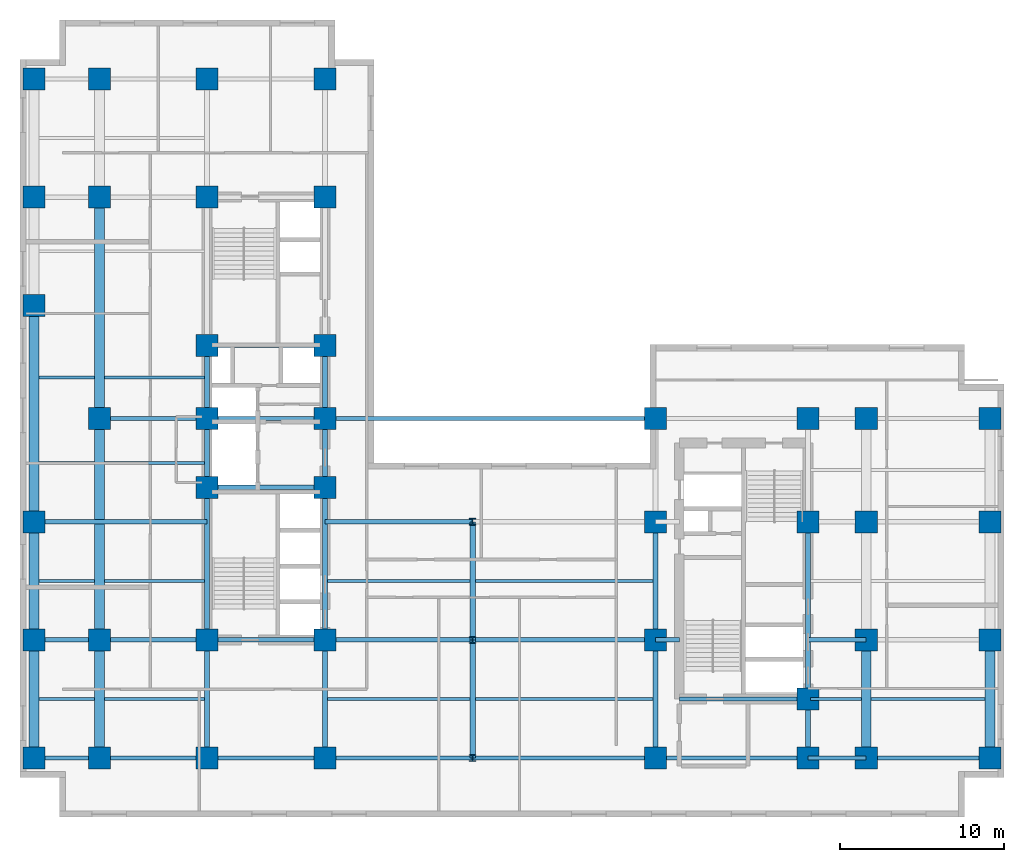
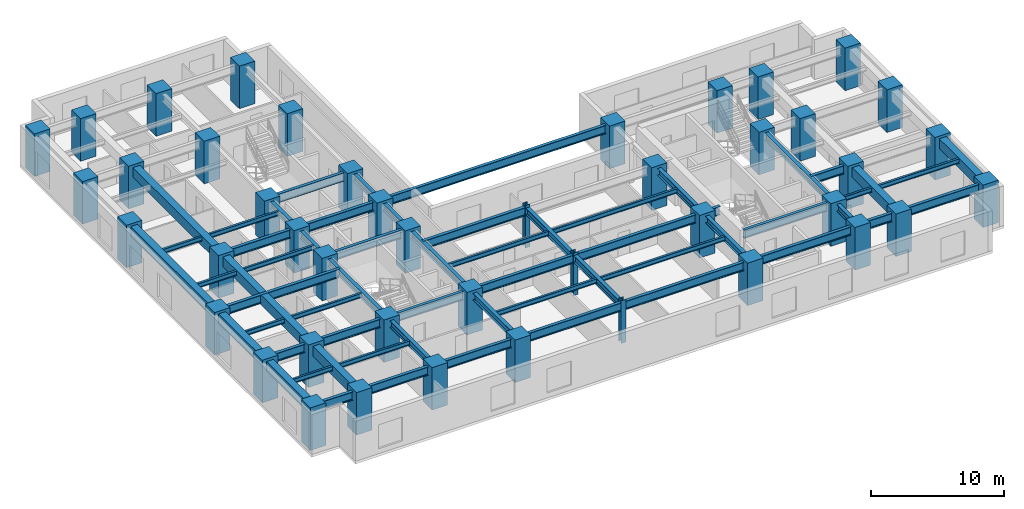
# One storey, part 1 of 9: 59 beams, 44 columns.
"""IFC4 building model written with IfcOpenShell, lengths in metres."""

from ifc_helpers import new_model, entity, si_unit, converted_unit, direction, frame, origin_with_axes, origin_2d_with_axis, place, context, subcontext, project, spatial, rectangle, i_section, extrude, material, material_profile, profile_set, type_object, element, save


model = new_model("IFC4")

# Units and contexts
model_context = context("Model", 3, precision=1e-05, world=origin_with_axes(), true_north=direction((0.0, 1.0)))
body_context = subcontext(model_context, "Body", "Model", "MODEL_VIEW")
ifc_project = project(units=[si_unit("LENGTHUNIT", "METRE"), si_unit("AREAUNIT", "SQUARE_METRE"), si_unit("VOLUMEUNIT", "CUBIC_METRE"), converted_unit("PLANEANGLEUNIT", "DEGREE", entity("IfcPlaneAngleMeasure", 0.017453292519943295), si_unit("PLANEANGLEUNIT", "RADIAN"), dimensions=[0, 0, 0, 0, 0, 0, 0]), si_unit("MASSUNIT", "GRAM", prefix="KILO"), si_unit("THERMODYNAMICTEMPERATUREUNIT", "KELVIN")], contexts=[model_context])

# Site, building, storey
site_placement = place(None, origin_with_axes())
site = spatial("IfcSite", under=ifc_project, at=site_placement, CompositionType="ELEMENT")
building_placement = place(site_placement, origin_with_axes())
building = spatial("IfcBuilding", under=site, at=building_placement, Name="Varnlund Millrace Tower", CompositionType="ELEMENT")
storey_placement = place(building_placement, frame((0.0, 0.0, 56.1), z_axis=(0.0, 0.0, 1.0), x_axis=(1.0, 0.0, 0.0)))
storey = spatial("IfcBuildingStorey", under=building, at=storey_placement, Name="L13", CompositionType="ELEMENT", Elevation=56.1)

# Columns
ifc_material_1 = material(Name="Steel ASTM A913 Grade 65", Category="steel")
ifc_material_profile_1 = material_profile(ifc_material_1, i_section(OverallWidth=0.406, OverallDepth=0.416, WebThickness=0.0298, FlangeThickness=0.048, FilletRadius=0.022, at=origin_2d_with_axis()), Name="Steel ASTM A913 Grade 65")
ifc_profile_set_1 = profile_set([ifc_material_profile_1], Name="Steel ASTM A913 Grade 65")
column_type_1 = type_object("IfcColumnType", Name="Type-Col-Int-W14X257", PredefinedType="COLUMN", material=ifc_profile_set_1)
for number, where, z_axis, x_axis, name in (
    (1, (27.6, 3.6, 0.0), (0.0, 0.0, 1.0), (1.0, 0.0, 0.0), "Type-Col-Int-W14X257"),
    (2, (27.6, 10.8, 0.0), (0.0, 0.0, 1.0), (1.0, 0.0, 0.0), "Type-Col-Int-W14X257"),
    (3, (27.6, 18.0, 0.0), (0.0, 0.0, 1.0), (1.0, 0.0, 0.0), "Type-Col-Int-W14X257"),
):
    element("IfcColumn", number, at=place(storey_placement, frame(where, z_axis=z_axis, x_axis=x_axis)), inside=storey, type_object=column_type_1, Name=name, PredefinedType="COLUMN", context=body_context, shape_type="SweptSolid", body=[
        extrude(i_section(OverallWidth=0.406, OverallDepth=0.416, WebThickness=0.0298, FlangeThickness=0.048, FilletRadius=0.022, at=origin_2d_with_axis()), origin_with_axes(), (0.0, 0.0, 1.0), 3.9),
    ])
ifc_material_2 = material(Name="Concrete C80/95", Category="concrete")
ifc_material_profile_2 = material_profile(ifc_material_2, rectangle(XDim=1.35, YDim=1.35, at=origin_2d_with_axis()), Name="Concrete C80/95")
ifc_profile_set_2 = profile_set([ifc_material_profile_2], Name="Concrete C80/95")
column_type_2 = type_object("IfcColumnType", Name="Type-Col-RC1350-C80", PredefinedType="COLUMN", material=ifc_profile_set_2)
for number, where, z_axis, x_axis, name in (
    (4, (11.4, 3.6, 0.0), (0.0, 0.0, 1.0), (1.0, 0.0, 0.0), "Type-Col-RC1350-C80"),
    (5, (11.4, 10.8, 0.0), (0.0, 0.0, 1.0), (1.0, 0.0, 0.0), "Type-Col-RC1350-C80"),
    (6, (11.4, 20.1, 0.0), (0.0, 0.0, 1.0), (1.0, 0.0, 0.0), "Type-Col-RC1350-C80"),
    (7, (11.4, 24.3, 0.0), (0.0, 0.0, 1.0), (1.0, 0.0, 0.0), "Type-Col-RC1350-C80"),
    (8, (11.4, 28.75, 0.0), (0.0, 0.0, 1.0), (1.0, 0.0, 0.0), "Type-Col-RC1350-C80"),
    (9, (11.4, 37.8, 0.0), (0.0, 0.0, 1.0), (1.0, 0.0, 0.0), "Type-Col-RC1350-C80"),
    (10, (11.4, 45.0, 0.0), (0.0, 0.0, 1.0), (1.0, 0.0, 0.0), "Type-Col-RC1350-C80"),
    (11, (18.6, 3.6, 0.0), (0.0, 0.0, 1.0), (1.0, 0.0, 0.0), "Type-Col-RC1350-C80"),
    (12, (18.6, 10.8, 0.0), (0.0, 0.0, 1.0), (1.0, 0.0, 0.0), "Type-Col-RC1350-C80"),
    (13, (18.6, 20.1, 0.0), (0.0, 0.0, 1.0), (1.0, 0.0, 0.0), "Type-Col-RC1350-C80"),
    (14, (18.6, 24.3, 0.0), (0.0, 0.0, 1.0), (1.0, 0.0, 0.0), "Type-Col-RC1350-C80"),
    (15, (18.6, 28.75, 0.0), (0.0, 0.0, 1.0), (1.0, 0.0, 0.0), "Type-Col-RC1350-C80"),
    (16, (18.6, 37.8, 0.0), (0.0, 0.0, 1.0), (1.0, 0.0, 0.0), "Type-Col-RC1350-C80"),
    (17, (18.6, 45.0, 0.0), (0.0, 0.0, 1.0), (1.0, 0.0, 0.0), "Type-Col-RC1350-C80"),
    (18, (4.85, 3.6, 0.0), (0.0, 0.0, 1.0), (1.0, 0.0, 0.0), "Type-Col-RC1350-C80"),
    (19, (4.85, 10.8, 0.0), (0.0, 0.0, 1.0), (1.0, 0.0, 0.0), "Type-Col-RC1350-C80"),
    (20, (4.85, 24.3, 0.0), (0.0, 0.0, 1.0), (1.0, 0.0, 0.0), "Type-Col-RC1350-C80"),
    (21, (4.85, 37.8, 0.0), (0.0, 0.0, 1.0), (1.0, 0.0, 0.0), "Type-Col-RC1350-C80"),
    (22, (4.85, 45.0, 0.0), (0.0, 0.0, 1.0), (1.0, 0.0, 0.0), "Type-Col-RC1350-C80"),
    (23, (0.85, 3.6, 0.0), (0.0, 0.0, 1.0), (1.0, 0.0, 0.0), "Type-Col-RC1350-C80"),
    (24, (0.85, 10.8, 0.0), (0.0, 0.0, 1.0), (1.0, 0.0, 0.0), "Type-Col-RC1350-C80"),
    (25, (0.85, 18.0, 0.0), (0.0, 0.0, 1.0), (1.0, 0.0, 0.0), "Type-Col-RC1350-C80"),
    (26, (0.85, 31.2, 0.0), (0.0, 0.0, 1.0), (1.0, 0.0, 0.0), "Type-Col-RC1350-C80"),
    (27, (0.85, 37.8, 0.0), (0.0, 0.0, 1.0), (1.0, 0.0, 0.0), "Type-Col-RC1350-C80"),
    (28, (0.85, 45.0, 0.0), (0.0, 0.0, 1.0), (1.0, 0.0, 0.0), "Type-Col-RC1350-C80"),
    (29, (38.75, 3.6, 0.0), (0.0, 0.0, 1.0), (1.0, 0.0, 0.0), "Type-Col-RC1350-C80"),
    (30, (38.75, 10.8, 0.0), (0.0, 0.0, 1.0), (1.0, 0.0, 0.0), "Type-Col-RC1350-C80"),
    (31, (38.75, 18.0, 0.0), (0.0, 0.0, 1.0), (1.0, 0.0, 0.0), "Type-Col-RC1350-C80"),
    (32, (38.75, 24.3, 0.0), (0.0, 0.0, 1.0), (1.0, 0.0, 0.0), "Type-Col-RC1350-C80"),
    (33, (48.05, 3.6, 0.0), (0.0, 0.0, 1.0), (1.0, 0.0, 0.0), "Type-Col-RC1350-C80"),
    (34, (48.05, 7.2, 0.0), (0.0, 0.0, 1.0), (1.0, 0.0, 0.0), "Type-Col-RC1350-C80"),
    (35, (48.05, 18.0, 0.0), (0.0, 0.0, 1.0), (1.0, 0.0, 0.0), "Type-Col-RC1350-C80"),
    (36, (48.05, 24.3, 0.0), (0.0, 0.0, 1.0), (1.0, 0.0, 0.0), "Type-Col-RC1350-C80"),
    (37, (51.6, 3.6, 0.0), (0.0, 0.0, 1.0), (1.0, 0.0, 0.0), "Type-Col-RC1350-C80"),
    (38, (51.6, 10.8, 0.0), (0.0, 0.0, 1.0), (1.0, 0.0, 0.0), "Type-Col-RC1350-C80"),
    (39, (51.6, 18.0, 0.0), (0.0, 0.0, 1.0), (1.0, 0.0, 0.0), "Type-Col-RC1350-C80"),
    (40, (51.6, 24.3, 0.0), (0.0, 0.0, 1.0), (1.0, 0.0, 0.0), "Type-Col-RC1350-C80"),
    (41, (59.15, 3.6, 0.0), (0.0, 0.0, 1.0), (1.0, 0.0, 0.0), "Type-Col-RC1350-C80"),
    (42, (59.15, 10.8, 0.0), (0.0, 0.0, 1.0), (1.0, 0.0, 0.0), "Type-Col-RC1350-C80"),
    (43, (59.15, 18.0, 0.0), (0.0, 0.0, 1.0), (1.0, 0.0, 0.0), "Type-Col-RC1350-C80"),
    (44, (59.15, 24.3, 0.0), (0.0, 0.0, 1.0), (1.0, 0.0, 0.0), "Type-Col-RC1350-C80"),
):
    element("IfcColumn", number, at=place(storey_placement, frame(where, z_axis=z_axis, x_axis=x_axis)), inside=storey, type_object=column_type_2, Name=name, PredefinedType="COLUMN", context=body_context, shape_type="SweptSolid", body=[
        extrude(rectangle(XDim=1.35, YDim=1.35, at=origin_2d_with_axis()), origin_with_axes(), (0.0, 0.0, 1.0), 3.9),
    ])

# Beams
ifc_material_3 = material(Name="Steel ASTM A992 Grade 50", Category="steel")
ifc_material_profile_3 = material_profile(ifc_material_3, i_section(OverallWidth=0.328, OverallDepth=0.628, WebThickness=0.0165, FlangeThickness=0.0277, FilletRadius=0.018, at=origin_2d_with_axis()), Name="Steel ASTM A992 Grade 50")
ifc_profile_set_3 = profile_set([ifc_material_profile_3], Name="Steel ASTM A992 Grade 50")
beam_type_1 = type_object("IfcBeamType", Name="Type-Girder-W24X146", PredefinedType="USERDEFINED", material=ifc_profile_set_3)
beam_1_placement = place(storey_placement, frame((11.4, 3.6, 3.346), z_axis=(0.0, 1.0, 0.0), x_axis=(-1.0, 0.0, 0.0)))
element("IfcBeam", 45, at=beam_1_placement, inside=storey, type_object=beam_type_1, Name="Type-Girder-W24X146", ObjectType="GIRDER", PredefinedType="USERDEFINED", context=body_context, shape_type="SweptSolid", body=[
    extrude(i_section(OverallWidth=0.328, OverallDepth=0.628, WebThickness=0.0165, FlangeThickness=0.0277, FilletRadius=0.018, at=origin_2d_with_axis()), origin_with_axes(), (0.0, 0.0, 1.0), 7.2),
])
beam_2_placement = place(storey_placement, frame((11.4, 10.8, 3.346), z_axis=(0.0, 1.0, 0.0), x_axis=(-1.0, 0.0, 0.0)))
element("IfcBeam", 46, at=beam_2_placement, inside=storey, type_object=beam_type_1, Name="Type-Girder-W24X146", ObjectType="GIRDER", PredefinedType="USERDEFINED", context=body_context, shape_type="SweptSolid", body=[
    extrude(i_section(OverallWidth=0.328, OverallDepth=0.628, WebThickness=0.0165, FlangeThickness=0.0277, FilletRadius=0.018, at=origin_2d_with_axis()), origin_with_axes(), (0.0, 0.0, 1.0), 9.3),
])
beam_3_placement = place(storey_placement, frame((11.4, 20.1, 3.346), z_axis=(0.0, 1.0, 0.0), x_axis=(-1.0, 0.0, 0.0)))
element("IfcBeam", 47, at=beam_3_placement, inside=storey, type_object=beam_type_1, Name="Type-Girder-W24X146", ObjectType="GIRDER", PredefinedType="USERDEFINED", context=body_context, shape_type="SweptSolid", body=[
    extrude(i_section(OverallWidth=0.328, OverallDepth=0.628, WebThickness=0.0165, FlangeThickness=0.0277, FilletRadius=0.018, at=origin_2d_with_axis()), origin_with_axes(), (0.0, 0.0, 1.0), 4.2),
])
beam_4_placement = place(storey_placement, frame((11.4, 24.3, 3.346), z_axis=(0.0, 1.0, 0.0), x_axis=(-1.0, 0.0, 0.0)))
element("IfcBeam", 48, at=beam_4_placement, inside=storey, type_object=beam_type_1, Name="Type-Girder-W24X146", ObjectType="GIRDER", PredefinedType="USERDEFINED", context=body_context, shape_type="SweptSolid", body=[
    extrude(i_section(OverallWidth=0.328, OverallDepth=0.628, WebThickness=0.0165, FlangeThickness=0.0277, FilletRadius=0.018, at=origin_2d_with_axis()), origin_with_axes(), (0.0, 0.0, 1.0), 4.45),
])
beam_5_placement = place(storey_placement, frame((18.6, 3.6, 3.346), z_axis=(0.0, 1.0, 0.0), x_axis=(-1.0, 0.0, 0.0)))
element("IfcBeam", 49, at=beam_5_placement, inside=storey, type_object=beam_type_1, Name="Type-Girder-W24X146", ObjectType="GIRDER", PredefinedType="USERDEFINED", context=body_context, shape_type="SweptSolid", body=[
    extrude(i_section(OverallWidth=0.328, OverallDepth=0.628, WebThickness=0.0165, FlangeThickness=0.0277, FilletRadius=0.018, at=origin_2d_with_axis()), origin_with_axes(), (0.0, 0.0, 1.0), 7.2),
])
beam_6_placement = place(storey_placement, frame((18.6, 10.8, 3.346), z_axis=(0.0, 1.0, 0.0), x_axis=(-1.0, 0.0, 0.0)))
element("IfcBeam", 50, at=beam_6_placement, inside=storey, type_object=beam_type_1, Name="Type-Girder-W24X146", ObjectType="GIRDER", PredefinedType="USERDEFINED", context=body_context, shape_type="SweptSolid", body=[
    extrude(i_section(OverallWidth=0.328, OverallDepth=0.628, WebThickness=0.0165, FlangeThickness=0.0277, FilletRadius=0.018, at=origin_2d_with_axis()), origin_with_axes(), (0.0, 0.0, 1.0), 9.3),
])
beam_7_placement = place(storey_placement, frame((18.6, 20.1, 3.346), z_axis=(0.0, 1.0, 0.0), x_axis=(-1.0, 0.0, 0.0)))
element("IfcBeam", 51, at=beam_7_placement, inside=storey, type_object=beam_type_1, Name="Type-Girder-W24X146", ObjectType="GIRDER", PredefinedType="USERDEFINED", context=body_context, shape_type="SweptSolid", body=[
    extrude(i_section(OverallWidth=0.328, OverallDepth=0.628, WebThickness=0.0165, FlangeThickness=0.0277, FilletRadius=0.018, at=origin_2d_with_axis()), origin_with_axes(), (0.0, 0.0, 1.0), 4.2),
])
beam_8_placement = place(storey_placement, frame((18.6, 24.3, 3.346), z_axis=(0.0, 1.0, 0.0), x_axis=(-1.0, 0.0, 0.0)))
element("IfcBeam", 52, at=beam_8_placement, inside=storey, type_object=beam_type_1, Name="Type-Girder-W24X146", ObjectType="GIRDER", PredefinedType="USERDEFINED", context=body_context, shape_type="SweptSolid", body=[
    extrude(i_section(OverallWidth=0.328, OverallDepth=0.628, WebThickness=0.0165, FlangeThickness=0.0277, FilletRadius=0.018, at=origin_2d_with_axis()), origin_with_axes(), (0.0, 0.0, 1.0), 4.45),
])
for number, where, z_axis, x_axis, name in (
    (53, (27.6, 3.6, 3.346), (0.0, 1.0, 0.0), (-1.0, 0.0, 0.0), "Type-Girder-W24X146"),
    (54, (27.6, 10.8, 3.346), (0.0, 1.0, 0.0), (-1.0, 0.0, 0.0), "Type-Girder-W24X146"),
    (55, (38.75, 3.6, 3.346), (0.0, 1.0, 0.0), (-1.0, 0.0, 0.0), "Type-Girder-W24X146"),
    (56, (38.75, 10.8, 3.346), (0.0, 1.0, 0.0), (-1.0, 0.0, 0.0), "Type-Girder-W24X146"),
):
    element("IfcBeam", number, at=place(storey_placement, frame(where, z_axis=z_axis, x_axis=x_axis)), inside=storey, type_object=beam_type_1, Name=name, ObjectType="GIRDER", PredefinedType="USERDEFINED", context=body_context, shape_type="SweptSolid", body=[
        extrude(i_section(OverallWidth=0.328, OverallDepth=0.628, WebThickness=0.0165, FlangeThickness=0.0277, FilletRadius=0.018, at=origin_2d_with_axis()), origin_with_axes(), (0.0, 0.0, 1.0), 7.2),
    ])
beam_9_placement = place(storey_placement, frame((48.05, 3.6, 3.346), z_axis=(0.0, 1.0, 0.0), x_axis=(-1.0, 0.0, 0.0)))
element("IfcBeam", 57, at=beam_9_placement, inside=storey, type_object=beam_type_1, Name="Type-Girder-W24X146", ObjectType="GIRDER", PredefinedType="USERDEFINED", context=body_context, shape_type="SweptSolid", body=[
    extrude(i_section(OverallWidth=0.328, OverallDepth=0.628, WebThickness=0.0165, FlangeThickness=0.0277, FilletRadius=0.018, at=origin_2d_with_axis()), origin_with_axes(), (0.0, 0.0, 1.0), 3.6),
])
beam_10_placement = place(storey_placement, frame((48.05, 7.2, 3.346), z_axis=(0.0, 1.0, 0.0), x_axis=(-1.0, 0.0, 0.0)))
element("IfcBeam", 58, at=beam_10_placement, inside=storey, type_object=beam_type_1, Name="Type-Girder-W24X146", ObjectType="GIRDER", PredefinedType="USERDEFINED", context=body_context, shape_type="SweptSolid", body=[
    extrude(i_section(OverallWidth=0.328, OverallDepth=0.628, WebThickness=0.0165, FlangeThickness=0.0277, FilletRadius=0.018, at=origin_2d_with_axis()), origin_with_axes(), (0.0, 0.0, 1.0), 10.8),
])
ifc_material_profile_4 = material_profile(ifc_material_3, i_section(OverallWidth=0.266, OverallDepth=0.779, WebThickness=0.0165, FlangeThickness=0.03, FilletRadius=0.02, at=origin_2d_with_axis()), Name="Steel ASTM A992 Grade 50")
ifc_profile_set_4 = profile_set([ifc_material_profile_4], Name="Steel ASTM A992 Grade 50")
beam_type_2 = type_object("IfcBeamType", Name="Type-Girder-W30X148", PredefinedType="USERDEFINED", material=ifc_profile_set_4)
beam_11_placement = place(storey_placement, frame((0.85, 3.6, 3.2705), z_axis=(1.0, 0.0, 0.0), x_axis=(0.0, 1.0, 0.0)))
element("IfcBeam", 59, at=beam_11_placement, inside=storey, type_object=beam_type_2, Name="Type-Girder-W30X148", ObjectType="GIRDER", PredefinedType="USERDEFINED", context=body_context, shape_type="SweptSolid", body=[
    extrude(i_section(OverallWidth=0.266, OverallDepth=0.779, WebThickness=0.0165, FlangeThickness=0.03, FilletRadius=0.02, at=origin_2d_with_axis()), origin_with_axes(), (0.0, 0.0, 1.0), 4.0),
])
beam_12_placement = place(storey_placement, frame((4.85, 3.6, 3.2705), z_axis=(1.0, 0.0, 0.0), x_axis=(0.0, 1.0, 0.0)))
element("IfcBeam", 60, at=beam_12_placement, inside=storey, type_object=beam_type_2, Name="Type-Girder-W30X148", ObjectType="GIRDER", PredefinedType="USERDEFINED", context=body_context, shape_type="SweptSolid", body=[
    extrude(i_section(OverallWidth=0.266, OverallDepth=0.779, WebThickness=0.0165, FlangeThickness=0.03, FilletRadius=0.02, at=origin_2d_with_axis()), origin_with_axes(), (0.0, 0.0, 1.0), 6.55),
])
beam_13_placement = place(storey_placement, frame((11.4, 3.6, 3.2705), z_axis=(1.0, 0.0, 0.0), x_axis=(0.0, 1.0, 0.0)))
element("IfcBeam", 61, at=beam_13_placement, inside=storey, type_object=beam_type_2, Name="Type-Girder-W30X148", ObjectType="GIRDER", PredefinedType="USERDEFINED", context=body_context, shape_type="SweptSolid", body=[
    extrude(i_section(OverallWidth=0.266, OverallDepth=0.779, WebThickness=0.0165, FlangeThickness=0.03, FilletRadius=0.02, at=origin_2d_with_axis()), origin_with_axes(), (0.0, 0.0, 1.0), 7.2),
])
beam_14_placement = place(storey_placement, frame((18.6, 3.6, 3.2705), z_axis=(1.0, 0.0, 0.0), x_axis=(0.0, 1.0, 0.0)))
element("IfcBeam", 62, at=beam_14_placement, inside=storey, type_object=beam_type_2, Name="Type-Girder-W30X148", ObjectType="GIRDER", PredefinedType="USERDEFINED", context=body_context, shape_type="SweptSolid", body=[
    extrude(i_section(OverallWidth=0.266, OverallDepth=0.779, WebThickness=0.0165, FlangeThickness=0.03, FilletRadius=0.02, at=origin_2d_with_axis()), origin_with_axes(), (0.0, 0.0, 1.0), 9.0),
])
beam_15_placement = place(storey_placement, frame((27.6, 3.6, 3.2705), z_axis=(1.0, 0.0, 0.0), x_axis=(0.0, 1.0, 0.0)))
element("IfcBeam", 63, at=beam_15_placement, inside=storey, type_object=beam_type_2, Name="Type-Girder-W30X148", ObjectType="GIRDER", PredefinedType="USERDEFINED", context=body_context, shape_type="SweptSolid", body=[
    extrude(i_section(OverallWidth=0.266, OverallDepth=0.779, WebThickness=0.0165, FlangeThickness=0.03, FilletRadius=0.02, at=origin_2d_with_axis()), origin_with_axes(), (0.0, 0.0, 1.0), 11.15),
])
beam_16_placement = place(storey_placement, frame((38.75, 3.6, 3.2705), z_axis=(1.0, 0.0, 0.0), x_axis=(0.0, 1.0, 0.0)))
element("IfcBeam", 64, at=beam_16_placement, inside=storey, type_object=beam_type_2, Name="Type-Girder-W30X148", ObjectType="GIRDER", PredefinedType="USERDEFINED", context=body_context, shape_type="SweptSolid", body=[
    extrude(i_section(OverallWidth=0.266, OverallDepth=0.779, WebThickness=0.0165, FlangeThickness=0.03, FilletRadius=0.02, at=origin_2d_with_axis()), origin_with_axes(), (0.0, 0.0, 1.0), 9.3),
])
beam_17_placement = place(storey_placement, frame((48.05, 3.6, 3.2705), z_axis=(1.0, 0.0, 0.0), x_axis=(0.0, 1.0, 0.0)))
element("IfcBeam", 65, at=beam_17_placement, inside=storey, type_object=beam_type_2, Name="Type-Girder-W30X148", ObjectType="GIRDER", PredefinedType="USERDEFINED", context=body_context, shape_type="SweptSolid", body=[
    extrude(i_section(OverallWidth=0.266, OverallDepth=0.779, WebThickness=0.0165, FlangeThickness=0.03, FilletRadius=0.02, at=origin_2d_with_axis()), origin_with_axes(), (0.0, 0.0, 1.0), 3.55),
])
beam_18_placement = place(storey_placement, frame((51.6, 3.6, 3.2705), z_axis=(1.0, 0.0, 0.0), x_axis=(0.0, 1.0, 0.0)))
element("IfcBeam", 66, at=beam_18_placement, inside=storey, type_object=beam_type_2, Name="Type-Girder-W30X148", ObjectType="GIRDER", PredefinedType="USERDEFINED", context=body_context, shape_type="SweptSolid", body=[
    extrude(i_section(OverallWidth=0.266, OverallDepth=0.779, WebThickness=0.0165, FlangeThickness=0.03, FilletRadius=0.02, at=origin_2d_with_axis()), origin_with_axes(), (0.0, 0.0, 1.0), 7.55),
])
beam_19_placement = place(storey_placement, frame((40.2, 7.2, 3.2705), z_axis=(1.0, 0.0, 0.0), x_axis=(0.0, 1.0, 0.0)))
element("IfcBeam", 67, at=beam_19_placement, inside=storey, type_object=beam_type_2, Name="Type-Girder-W30X148", ObjectType="GIRDER", PredefinedType="USERDEFINED", context=body_context, shape_type="SweptSolid", body=[
    extrude(i_section(OverallWidth=0.266, OverallDepth=0.779, WebThickness=0.0165, FlangeThickness=0.03, FilletRadius=0.02, at=origin_2d_with_axis()), origin_with_axes(), (0.0, 0.0, 1.0), 7.85),
])
beam_20_placement = place(storey_placement, frame((0.85, 10.8, 3.2705), z_axis=(1.0, 0.0, 0.0), x_axis=(0.0, 1.0, 0.0)))
element("IfcBeam", 68, at=beam_20_placement, inside=storey, type_object=beam_type_2, Name="Type-Girder-W30X148", ObjectType="GIRDER", PredefinedType="USERDEFINED", context=body_context, shape_type="SweptSolid", body=[
    extrude(i_section(OverallWidth=0.266, OverallDepth=0.779, WebThickness=0.0165, FlangeThickness=0.03, FilletRadius=0.02, at=origin_2d_with_axis()), origin_with_axes(), (0.0, 0.0, 1.0), 4.0),
])
beam_21_placement = place(storey_placement, frame((4.85, 10.8, 3.2705), z_axis=(1.0, 0.0, 0.0), x_axis=(0.0, 1.0, 0.0)))
element("IfcBeam", 69, at=beam_21_placement, inside=storey, type_object=beam_type_2, Name="Type-Girder-W30X148", ObjectType="GIRDER", PredefinedType="USERDEFINED", context=body_context, shape_type="SweptSolid", body=[
    extrude(i_section(OverallWidth=0.266, OverallDepth=0.779, WebThickness=0.0165, FlangeThickness=0.03, FilletRadius=0.02, at=origin_2d_with_axis()), origin_with_axes(), (0.0, 0.0, 1.0), 6.55),
])
beam_22_placement = place(storey_placement, frame((11.4, 10.8, 3.2705), z_axis=(1.0, 0.0, 0.0), x_axis=(0.0, 1.0, 0.0)))
element("IfcBeam", 70, at=beam_22_placement, inside=storey, type_object=beam_type_2, Name="Type-Girder-W30X148", ObjectType="GIRDER", PredefinedType="USERDEFINED", context=body_context, shape_type="SweptSolid", body=[
    extrude(i_section(OverallWidth=0.266, OverallDepth=0.779, WebThickness=0.0165, FlangeThickness=0.03, FilletRadius=0.02, at=origin_2d_with_axis()), origin_with_axes(), (0.0, 0.0, 1.0), 7.2),
])
beam_23_placement = place(storey_placement, frame((18.6, 10.8, 3.2705), z_axis=(1.0, 0.0, 0.0), x_axis=(0.0, 1.0, 0.0)))
element("IfcBeam", 71, at=beam_23_placement, inside=storey, type_object=beam_type_2, Name="Type-Girder-W30X148", ObjectType="GIRDER", PredefinedType="USERDEFINED", context=body_context, shape_type="SweptSolid", body=[
    extrude(i_section(OverallWidth=0.266, OverallDepth=0.779, WebThickness=0.0165, FlangeThickness=0.03, FilletRadius=0.02, at=origin_2d_with_axis()), origin_with_axes(), (0.0, 0.0, 1.0), 9.0),
])
beam_24_placement = place(storey_placement, frame((27.6, 10.8, 3.2705), z_axis=(1.0, 0.0, 0.0), x_axis=(0.0, 1.0, 0.0)))
element("IfcBeam", 72, at=beam_24_placement, inside=storey, type_object=beam_type_2, Name="Type-Girder-W30X148", ObjectType="GIRDER", PredefinedType="USERDEFINED", context=body_context, shape_type="SweptSolid", body=[
    extrude(i_section(OverallWidth=0.266, OverallDepth=0.779, WebThickness=0.0165, FlangeThickness=0.03, FilletRadius=0.02, at=origin_2d_with_axis()), origin_with_axes(), (0.0, 0.0, 1.0), 11.15),
])
beam_25_placement = place(storey_placement, frame((38.75, 10.8, 3.2705), z_axis=(1.0, 0.0, 0.0), x_axis=(0.0, 1.0, 0.0)))
element("IfcBeam", 73, at=beam_25_placement, inside=storey, type_object=beam_type_2, Name="Type-Girder-W30X148", ObjectType="GIRDER", PredefinedType="USERDEFINED", context=body_context, shape_type="SweptSolid", body=[
    extrude(i_section(OverallWidth=0.266, OverallDepth=0.779, WebThickness=0.0165, FlangeThickness=0.03, FilletRadius=0.02, at=origin_2d_with_axis()), origin_with_axes(), (0.0, 0.0, 1.0), 1.45),
])
beam_26_placement = place(storey_placement, frame((48.05, 10.8, 3.2705), z_axis=(1.0, 0.0, 0.0), x_axis=(0.0, 1.0, 0.0)))
element("IfcBeam", 74, at=beam_26_placement, inside=storey, type_object=beam_type_2, Name="Type-Girder-W30X148", ObjectType="GIRDER", PredefinedType="USERDEFINED", context=body_context, shape_type="SweptSolid", body=[
    extrude(i_section(OverallWidth=0.266, OverallDepth=0.779, WebThickness=0.0165, FlangeThickness=0.03, FilletRadius=0.02, at=origin_2d_with_axis()), origin_with_axes(), (0.0, 0.0, 1.0), 3.55),
])
beam_27_placement = place(storey_placement, frame((0.85, 18.0, 3.2705), z_axis=(1.0, 0.0, 0.0), x_axis=(0.0, 1.0, 0.0)))
element("IfcBeam", 75, at=beam_27_placement, inside=storey, type_object=beam_type_2, Name="Type-Girder-W30X148", ObjectType="GIRDER", PredefinedType="USERDEFINED", context=body_context, shape_type="SweptSolid", body=[
    extrude(i_section(OverallWidth=0.266, OverallDepth=0.779, WebThickness=0.0165, FlangeThickness=0.03, FilletRadius=0.02, at=origin_2d_with_axis()), origin_with_axes(), (0.0, 0.0, 1.0), 10.55),
])
beam_28_placement = place(storey_placement, frame((18.6, 18.0, 3.2705), z_axis=(1.0, 0.0, 0.0), x_axis=(0.0, 1.0, 0.0)))
element("IfcBeam", 76, at=beam_28_placement, inside=storey, type_object=beam_type_2, Name="Type-Girder-W30X148", ObjectType="GIRDER", PredefinedType="USERDEFINED", context=body_context, shape_type="SweptSolid", body=[
    extrude(i_section(OverallWidth=0.266, OverallDepth=0.779, WebThickness=0.0165, FlangeThickness=0.03, FilletRadius=0.02, at=origin_2d_with_axis()), origin_with_axes(), (0.0, 0.0, 1.0), 9.0),
])
beam_29_placement = place(storey_placement, frame((11.4, 20.1, 3.2705), z_axis=(1.0, 0.0, 0.0), x_axis=(0.0, 1.0, 0.0)))
element("IfcBeam", 77, at=beam_29_placement, inside=storey, type_object=beam_type_2, Name="Type-Girder-W30X148", ObjectType="GIRDER", PredefinedType="USERDEFINED", context=body_context, shape_type="SweptSolid", body=[
    extrude(i_section(OverallWidth=0.266, OverallDepth=0.779, WebThickness=0.0165, FlangeThickness=0.03, FilletRadius=0.02, at=origin_2d_with_axis()), origin_with_axes(), (0.0, 0.0, 1.0), 7.2),
])
beam_30_placement = place(storey_placement, frame((4.85, 24.3, 3.2705), z_axis=(1.0, 0.0, 0.0), x_axis=(0.0, 1.0, 0.0)))
element("IfcBeam", 78, at=beam_30_placement, inside=storey, type_object=beam_type_2, Name="Type-Girder-W30X148", ObjectType="GIRDER", PredefinedType="USERDEFINED", context=body_context, shape_type="SweptSolid", body=[
    extrude(i_section(OverallWidth=0.266, OverallDepth=0.779, WebThickness=0.0165, FlangeThickness=0.03, FilletRadius=0.02, at=origin_2d_with_axis()), origin_with_axes(), (0.0, 0.0, 1.0), 6.55),
])
beam_31_placement = place(storey_placement, frame((11.4, 24.3, 3.2705), z_axis=(1.0, 0.0, 0.0), x_axis=(0.0, 1.0, 0.0)))
element("IfcBeam", 79, at=beam_31_placement, inside=storey, type_object=beam_type_2, Name="Type-Girder-W30X148", ObjectType="GIRDER", PredefinedType="USERDEFINED", context=body_context, shape_type="SweptSolid", body=[
    extrude(i_section(OverallWidth=0.266, OverallDepth=0.779, WebThickness=0.0165, FlangeThickness=0.03, FilletRadius=0.02, at=origin_2d_with_axis()), origin_with_axes(), (0.0, 0.0, 1.0), 7.2),
])
beam_32_placement = place(storey_placement, frame((18.6, 24.3, 3.2705), z_axis=(1.0, 0.0, 0.0), x_axis=(0.0, 1.0, 0.0)))
element("IfcBeam", 80, at=beam_32_placement, inside=storey, type_object=beam_type_2, Name="Type-Girder-W30X148", ObjectType="GIRDER", PredefinedType="USERDEFINED", context=body_context, shape_type="SweptSolid", body=[
    extrude(i_section(OverallWidth=0.266, OverallDepth=0.779, WebThickness=0.0165, FlangeThickness=0.03, FilletRadius=0.02, at=origin_2d_with_axis()), origin_with_axes(), (0.0, 0.0, 1.0), 20.15),
])
beam_33_placement = place(storey_placement, frame((11.4, 28.75, 3.2705), z_axis=(1.0, 0.0, 0.0), x_axis=(0.0, 1.0, 0.0)))
element("IfcBeam", 81, at=beam_33_placement, inside=storey, type_object=beam_type_2, Name="Type-Girder-W30X148", ObjectType="GIRDER", PredefinedType="USERDEFINED", context=body_context, shape_type="SweptSolid", body=[
    extrude(i_section(OverallWidth=0.266, OverallDepth=0.779, WebThickness=0.0165, FlangeThickness=0.03, FilletRadius=0.02, at=origin_2d_with_axis()), origin_with_axes(), (0.0, 0.0, 1.0), 7.2),
])
ifc_material_profile_5 = material_profile(ifc_material_3, i_section(OverallWidth=0.181, OverallDepth=0.417, WebThickness=0.0109, FlangeThickness=0.0182, FilletRadius=0.013, at=origin_2d_with_axis()), Name="Steel ASTM A992 Grade 50")
ifc_profile_set_5 = profile_set([ifc_material_profile_5], Name="Steel ASTM A992 Grade 50")
beam_type_3 = type_object("IfcBeamType", Name="Type-Joist-W16X57", PredefinedType="JOIST", material=ifc_profile_set_5)
for number, where, z_axis, x_axis, name in (
    (82, (1.15, 7.2, 3.4515), (1.0, 0.0, 0.0), (0.0, 1.0, 0.0), "Type-Joist-W16X57"),
    (83, (1.15, 14.4, 3.4515), (1.0, 0.0, 0.0), (0.0, 1.0, 0.0), "Type-Joist-W16X57"),
    (84, (1.15, 21.6, 3.4515), (1.0, 0.0, 0.0), (0.0, 1.0, 0.0), "Type-Joist-W16X57"),
    (85, (1.15, 26.8, 3.4515), (1.0, 0.0, 0.0), (0.0, 1.0, 0.0), "Type-Joist-W16X57"),
):
    element("IfcBeam", number, at=place(storey_placement, frame(where, z_axis=z_axis, x_axis=x_axis)), inside=storey, type_object=beam_type_3, Name=name, PredefinedType="JOIST", context=body_context, shape_type="SweptSolid", body=[
        extrude(i_section(OverallWidth=0.181, OverallDepth=0.417, WebThickness=0.0109, FlangeThickness=0.0182, FilletRadius=0.013, at=origin_2d_with_axis()), origin_with_axes(), (0.0, 0.0, 1.0), 3.4),
    ])
for number, where, z_axis, x_axis, name in (
    (86, (5.15, 7.2, 3.4515), (1.0, 0.0, 0.0), (0.0, 1.0, 0.0), "Type-Joist-W16X57"),
    (87, (5.15, 14.4, 3.4515), (1.0, 0.0, 0.0), (0.0, 1.0, 0.0), "Type-Joist-W16X57"),
    (88, (5.15, 21.6, 3.4515), (1.0, 0.0, 0.0), (0.0, 1.0, 0.0), "Type-Joist-W16X57"),
    (89, (5.15, 26.8, 3.4515), (1.0, 0.0, 0.0), (0.0, 1.0, 0.0), "Type-Joist-W16X57"),
):
    element("IfcBeam", number, at=place(storey_placement, frame(where, z_axis=z_axis, x_axis=x_axis)), inside=storey, type_object=beam_type_3, Name=name, PredefinedType="JOIST", context=body_context, shape_type="SweptSolid", body=[
        extrude(i_section(OverallWidth=0.181, OverallDepth=0.417, WebThickness=0.0109, FlangeThickness=0.0182, FilletRadius=0.013, at=origin_2d_with_axis()), origin_with_axes(), (0.0, 0.0, 1.0), 6.086),
    ])
beam_34_placement = place(storey_placement, frame((48.214, 7.2, 3.4515), z_axis=(1.0, 0.0, 0.0), x_axis=(0.0, 1.0, 0.0)))
element("IfcBeam", 90, at=beam_34_placement, inside=storey, type_object=beam_type_3, Name="Type-Joist-W16X57", PredefinedType="JOIST", context=body_context, shape_type="SweptSolid", body=[
    extrude(i_section(OverallWidth=0.181, OverallDepth=0.417, WebThickness=0.0109, FlangeThickness=0.0182, FilletRadius=0.013, at=origin_2d_with_axis()), origin_with_axes(), (0.0, 0.0, 1.0), 3.086),
])
beam_35_placement = place(storey_placement, frame((51.9, 7.2, 3.4515), z_axis=(1.0, 0.0, 0.0), x_axis=(0.0, 1.0, 0.0)))
element("IfcBeam", 91, at=beam_35_placement, inside=storey, type_object=beam_type_3, Name="Type-Joist-W16X57", PredefinedType="JOIST", context=body_context, shape_type="SweptSolid", body=[
    extrude(i_section(OverallWidth=0.181, OverallDepth=0.417, WebThickness=0.0109, FlangeThickness=0.0182, FilletRadius=0.013, at=origin_2d_with_axis()), origin_with_axes(), (0.0, 0.0, 1.0), 6.95),
])
for number, where, z_axis, x_axis, name in (
    (92, (18.764, 7.2, 3.4515), (1.0, 0.0, 0.0), (0.0, 1.0, 0.0), "Type-Joist-W16X57"),
    (93, (18.764, 14.4, 3.4515), (1.0, 0.0, 0.0), (0.0, 1.0, 0.0), "Type-Joist-W16X57"),
):
    element("IfcBeam", number, at=place(storey_placement, frame(where, z_axis=z_axis, x_axis=x_axis)), inside=storey, type_object=beam_type_3, Name=name, PredefinedType="JOIST", context=body_context, shape_type="SweptSolid", body=[
        extrude(i_section(OverallWidth=0.181, OverallDepth=0.417, WebThickness=0.0109, FlangeThickness=0.0182, FilletRadius=0.013, at=origin_2d_with_axis()), origin_with_axes(), (0.0, 0.0, 1.0), 8.672),
    ])
for number, where, z_axis, x_axis, name in (
    (94, (27.764, 7.2, 3.4515), (1.0, 0.0, 0.0), (0.0, 1.0, 0.0), "Type-Joist-W16X57"),
    (95, (27.764, 14.4, 3.4515), (1.0, 0.0, 0.0), (0.0, 1.0, 0.0), "Type-Joist-W16X57"),
):
    element("IfcBeam", number, at=place(storey_placement, frame(where, z_axis=z_axis, x_axis=x_axis)), inside=storey, type_object=beam_type_3, Name=name, PredefinedType="JOIST", context=body_context, shape_type="SweptSolid", body=[
        extrude(i_section(OverallWidth=0.181, OverallDepth=0.417, WebThickness=0.0109, FlangeThickness=0.0182, FilletRadius=0.013, at=origin_2d_with_axis()), origin_with_axes(), (0.0, 0.0, 1.0), 10.822),
    ])
ifc_material_4 = material(Name="Concrete C70/85", Category="concrete")
ifc_material_profile_6 = material_profile(ifc_material_4, rectangle(XDim=0.6, YDim=0.9, at=origin_2d_with_axis()), Name="Concrete C70/85")
ifc_profile_set_6 = profile_set([ifc_material_profile_6], Name="Concrete C70/85")
beam_type_4 = type_object("IfcBeamType", Name="Type-Spandrel-RC600X900", PredefinedType="SPANDREL", material=ifc_profile_set_6)
for number, where, z_axis, x_axis, name in (
    (96, (0.85, 3.6, 3.21), (0.0, 1.0, 0.0), (-1.0, 0.0, 0.0), "Type-Spandrel-RC600X900"),
    (97, (0.85, 10.8, 3.21), (0.0, 1.0, 0.0), (-1.0, 0.0, 0.0), "Type-Spandrel-RC600X900"),
):
    element("IfcBeam", number, at=place(storey_placement, frame(where, z_axis=z_axis, x_axis=x_axis)), inside=storey, type_object=beam_type_4, Name=name, PredefinedType="SPANDREL", context=body_context, shape_type="SweptSolid", body=[
        extrude(rectangle(XDim=0.6, YDim=0.9, at=origin_2d_with_axis()), origin_with_axes(), (0.0, 0.0, 1.0), 7.2),
    ])
beam_36_placement = place(storey_placement, frame((0.85, 18.0, 3.21), z_axis=(0.0, 1.0, 0.0), x_axis=(-1.0, 0.0, 0.0)))
element("IfcBeam", 98, at=beam_36_placement, inside=storey, type_object=beam_type_4, Name="Type-Spandrel-RC600X900", PredefinedType="SPANDREL", context=body_context, shape_type="SweptSolid", body=[
    extrude(rectangle(XDim=0.6, YDim=0.9, at=origin_2d_with_axis()), origin_with_axes(), (0.0, 0.0, 1.0), 13.2),
])
beam_37_placement = place(storey_placement, frame((4.85, 3.6, 3.21), z_axis=(0.0, 1.0, 0.0), x_axis=(-1.0, 0.0, 0.0)))
element("IfcBeam", 99, at=beam_37_placement, inside=storey, type_object=beam_type_4, Name="Type-Spandrel-RC600X900", PredefinedType="SPANDREL", context=body_context, shape_type="SweptSolid", body=[
    extrude(rectangle(XDim=0.6, YDim=0.9, at=origin_2d_with_axis()), origin_with_axes(), (0.0, 0.0, 1.0), 7.2),
])
for number, where, z_axis, x_axis, name in (
    (100, (4.85, 10.8, 3.21), (0.0, 1.0, 0.0), (-1.0, 0.0, 0.0), "Type-Spandrel-RC600X900"),
    (101, (4.85, 24.3, 3.21), (0.0, 1.0, 0.0), (-1.0, 0.0, 0.0), "Type-Spandrel-RC600X900"),
):
    element("IfcBeam", number, at=place(storey_placement, frame(where, z_axis=z_axis, x_axis=x_axis)), inside=storey, type_object=beam_type_4, Name=name, PredefinedType="SPANDREL", context=body_context, shape_type="SweptSolid", body=[
        extrude(rectangle(XDim=0.6, YDim=0.9, at=origin_2d_with_axis()), origin_with_axes(), (0.0, 0.0, 1.0), 13.5),
    ])
for number, where, z_axis, x_axis, name in (
    (102, (51.6, 3.6, 3.21), (0.0, 1.0, 0.0), (-1.0, 0.0, 0.0), "Type-Spandrel-RC600X900"),
    (103, (59.15, 3.6, 3.21), (0.0, 1.0, 0.0), (-1.0, 0.0, 0.0), "Type-Spandrel-RC600X900"),
):
    element("IfcBeam", number, at=place(storey_placement, frame(where, z_axis=z_axis, x_axis=x_axis)), inside=storey, type_object=beam_type_4, Name=name, PredefinedType="SPANDREL", context=body_context, shape_type="SweptSolid", body=[
        extrude(rectangle(XDim=0.6, YDim=0.9, at=origin_2d_with_axis()), origin_with_axes(), (0.0, 0.0, 1.0), 7.2),
    ])

save(model, "model.ifc")
